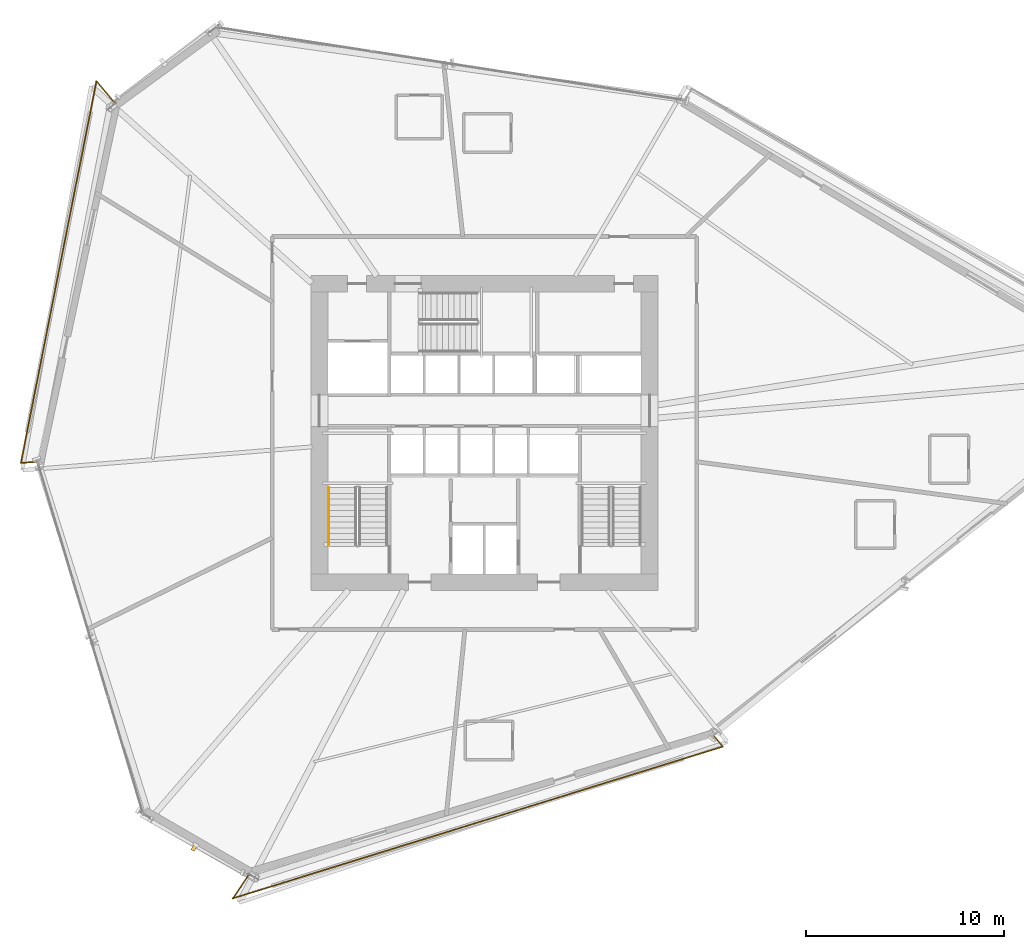
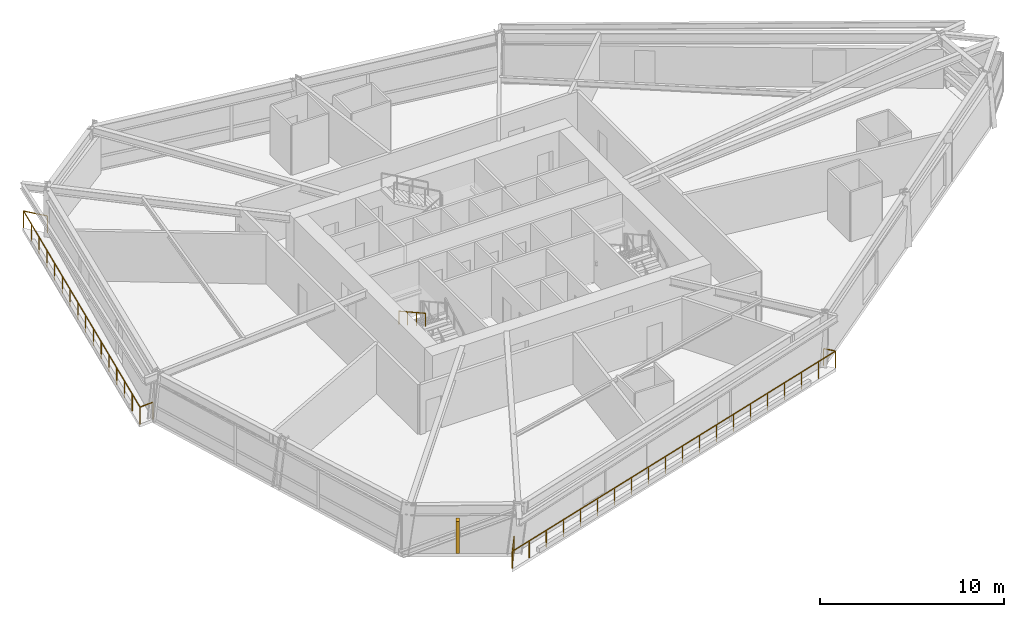
# One storey, part 20 of 22: 3 railings, 1 shading device.
"""IFC4 building model written with IfcOpenShell, lengths in metres."""

import ifcopenshell
import ifcopenshell.guid

model = None  # the IFC model being written
_history = None  # IfcOwnerHistory: only IFC2X3 demands one
_inside = {}  # id of a spatial element -> (the spatial element, [elements in it])
_under = {}  # id of a project, library or spatial element -> (it, [spatial elements below it])
_declared = {}  # id of a project -> (the project, [libraries it declares])
_typed = {}  # id of a type object -> (the type object, [elements of that type])
_made_of = {}  # id of a material, layer set ... -> (it, [elements and type objects made of it])


def new_model(schema):
    """Start an empty IFC model of exactly this schema.

    Asked for "IFC4X3", IfcOpenShell would pick the latest addendum, in which some entities
    have other attributes; the version numbers below select the first issue.
    IFC2X3 requires an IfcOwnerHistory on every rooted entity: one is made here for all.
    """
    global model, _history
    if schema == "IFC4X3":
        model = ifcopenshell.file(schema_version=(4, 3, 0, 0))
    else:
        model = ifcopenshell.file(schema=schema)
    _inside.clear()
    _under.clear()
    _declared.clear()
    _typed.clear()
    _made_of.clear()
    _history = None
    if model.schema == "IFC2X3":
        org = make("IfcOrganization", Name="unknown")
        user = make(
            "IfcPersonAndOrganization",
            ThePerson=make("IfcPerson", FamilyName="unknown"),
            TheOrganization=org,
        )
        app = make(
            "IfcApplication",
            ApplicationDeveloper=org,
            Version="unknown",
            ApplicationFullName="unknown",
            ApplicationIdentifier="unknown",
        )
        _history = make(
            "IfcOwnerHistory",
            OwningUser=user,
            OwningApplication=app,
            ChangeAction="ADDED",
            CreationDate=0,
        )
    return model


def make(cls, **values):
    """One entity of the class cls with the attributes given. An attribute that is None is left unset."""
    return model.create_entity(
        cls, **{name: value for name, value in values.items() if value is not None}
    )


def rooted(cls, **values):
    """An entity with a GlobalId (a new one), such as an element, a storey or a relation."""
    return make(cls, GlobalId=ifcopenshell.guid.new(), OwnerHistory=_history, **values)


def si_unit(unit_type, name, prefix=None):
    """IfcSIUnit, for example si_unit("LENGTHUNIT", "METRE", prefix="MILLI")."""
    return make("IfcSIUnit", UnitType=unit_type, Prefix=prefix, Name=name)


def assignment(units):
    """IfcUnitAssignment: the units of a project."""
    return None if units is None else make("IfcUnitAssignment", Units=units)


def point(xyz):
    """IfcCartesianPoint."""
    return None if xyz is None else make("IfcCartesianPoint", Coordinates=xyz)


def direction(xyz):
    """IfcDirection."""
    return None if xyz is None else make("IfcDirection", DirectionRatios=xyz)


def frame(location, z_axis=None, x_axis=None):
    """IfcAxis2Placement3D, a coordinate frame: its origin and axes. An axis left out is left unset."""
    return make(
        "IfcAxis2Placement3D",
        Location=point(location),
        Axis=direction(z_axis),
        RefDirection=direction(x_axis),
    )


def frame_2d(location, x_axis=None):
    """IfcAxis2Placement2D, a coordinate frame in the plane: its origin and x axis."""
    return make(
        "IfcAxis2Placement2D", Location=point(location), RefDirection=direction(x_axis)
    )


def origin():
    """The frame at (0, 0, 0) with its axes left unset."""
    return frame((0.0, 0.0, 0.0))


def origin_2d():
    """The frame at (0, 0) in the plane with its x axis left unset."""
    return frame_2d((0.0, 0.0))


def place(relative_to, where):
    """IfcLocalPlacement: puts the frame where relative to a parent placement (None: the world)."""
    return make(
        "IfcLocalPlacement", PlacementRelTo=relative_to, RelativePlacement=where
    )


def context(
    kind, dimensions, precision=None, world=None, true_north=None, identifier=None
):
    """IfcGeometricRepresentationContext, for example the 3D "Model" context."""
    return make(
        "IfcGeometricRepresentationContext",
        ContextIdentifier=identifier,
        ContextType=kind,
        CoordinateSpaceDimension=dimensions,
        Precision=precision,
        WorldCoordinateSystem=world,
        TrueNorth=true_north,
    )


def subcontext(parent, identifier, kind, view, scale=None):
    """IfcGeometricRepresentationSubContext, for example "Body" below "Model"."""
    return make(
        "IfcGeometricRepresentationSubContext",
        ContextIdentifier=identifier,
        ContextType=kind,
        ParentContext=parent,
        TargetScale=scale,
        TargetView=view,
    )


def project(units=None, contexts=None):
    """IfcProject with its units and contexts."""
    return rooted(
        "IfcProject",
        Name="project",
        RepresentationContexts=contexts,
        UnitsInContext=assignment(units),
    )


def spatial(cls, under=None, at=None, **own):
    """A site, building, storey or space (cls), placed at a placement, below another one or the project."""
    s = rooted(cls, ObjectPlacement=at, **own)
    if under is not None:
        _under.setdefault(under.id(), (under, []))[1].append(s)
    return s


def profile(cls, at=None, kind="AREA", **sizes):
    """A parametric profile (cls). Its sizes go by their IFC names, for example OverallWidth=200.0."""
    return make(cls, ProfileType=kind, Position=at, **sizes)


def rectangle(**sizes):
    """IfcRectangleProfileDef."""
    return profile("IfcRectangleProfileDef", **sizes)


def extrude(swept, where, along, depth):
    """IfcExtrudedAreaSolid: the profile swept, set in the frame where, extruded along a direction by depth."""
    return make(
        "IfcExtrudedAreaSolid",
        SweptArea=swept,
        Position=where,
        ExtrudedDirection=direction(along),
        Depth=depth,
    )


def shape(context_of_items, identifier, shape_type, items):
    """IfcShapeRepresentation: the items that make up one representation, for example the "Body"."""
    return make(
        "IfcShapeRepresentation",
        ContextOfItems=context_of_items,
        RepresentationIdentifier=identifier,
        RepresentationType=shape_type,
        Items=items,
    )


def source(mapping_origin, context_of_items, identifier, shape_type, items):
    """IfcRepresentationMap: a shape defined once, which mapped items show again and again."""
    return make(
        "IfcRepresentationMap",
        MappingOrigin=mapping_origin,
        MappedRepresentation=shape(context_of_items, identifier, shape_type, items),
    )


def transform(
    local_origin,
    x_axis=None,
    y_axis=None,
    z_axis=None,
    scale=None,
    scale2=None,
    scale3=None,
    uniform=True,
):
    """IfcCartesianTransformationOperator3D, or its non-uniform kind. x_axis, y_axis, z_axis: its Axis1, 2, 3."""
    if uniform:
        return make(
            "IfcCartesianTransformationOperator3D",
            Axis1=direction(x_axis),
            Axis2=direction(y_axis),
            LocalOrigin=point(local_origin),
            Scale=scale,
            Axis3=direction(z_axis),
        )
    return make(
        "IfcCartesianTransformationOperator3DnonUniform",
        Axis1=direction(x_axis),
        Axis2=direction(y_axis),
        LocalOrigin=point(local_origin),
        Scale=scale,
        Axis3=direction(z_axis),
        Scale2=scale2,
        Scale3=scale3,
    )


def mapped(mapping_source, mapping_target):
    """IfcMappedItem: shows the shape of a source again, moved by a transform."""
    return make(
        "IfcMappedItem", MappingSource=mapping_source, MappingTarget=mapping_target
    )


def material(Name=None, Category=None):
    """IfcMaterial."""
    return make("IfcMaterial", Name=Name, Category=Category)


def made_of(thing, what):
    """Note that an element or type object is made of a material, layer set ...; save() writes the relation."""
    if what is not None:
        _made_of.setdefault(what.id(), (what, []))[1].append(thing)
    return thing


def type_object(cls, material=None, **own):
    """A type object (cls), such as IfcWallType, which elements share."""
    return made_of(rooted(cls, **own), material)


def element(
    cls,
    number,
    at=None,
    inside=None,
    cuts=None,
    type_object=None,
    material=None,
    context=None,
    identifier="Body",
    shape_type=None,
    held_by="IfcProductDefinitionShape",
    body=None,
    shapes=None,
    **own,
):
    """One element of the class cls, such as IfcWall. Its Tag is "e" and its number.

    at: its placement. inside: the storey or other place that contains it. cuts: it is an
    opening in that element (IfcRelVoidsElement). A single representation is given by context,
    identifier, shape_type and body (its items); several are given by shapes. held_by: the class
    of the entity that holds the representations. save() writes the other relations.
    """
    e = rooted(cls, Tag="e%d" % number, ObjectPlacement=at, **own)
    if body is not None:
        shapes = [shape(context, identifier, shape_type, body)]
    if shapes is not None:
        e.Representation = make(held_by, Representations=shapes)
    if inside is not None:
        _inside.setdefault(inside.id(), (inside, []))[1].append(e)
    if cuts is not None:
        rooted(
            "IfcRelVoidsElement", RelatingBuildingElement=cuts, RelatedOpeningElement=e
        )
    if type_object is not None:
        _typed.setdefault(type_object.id(), (type_object, []))[1].append(e)
    return made_of(e, material)


def aggregate(whole, parts):
    """IfcRelAggregates: a whole, such as a stair, and the parts it consists of."""
    return rooted("IfcRelAggregates", RelatingObject=whole, RelatedObjects=parts)


def save(model, path):
    """Write the relations noted so far, then the file.

    IfcRelAggregates (storeys below a building ...), IfcRelContainedInSpatialStructure (elements
    in a storey), IfcRelDefinesByType, IfcRelAssociatesMaterial and IfcRelDeclares: one each for
    every whole, place, type object, material and project.
    """
    for whole, parts in _under.values():
        aggregate(whole, parts)
    for where, things in _inside.values():
        rooted(
            "IfcRelContainedInSpatialStructure",
            RelatedElements=things,
            RelatingStructure=where,
        )
    for kind, things in _typed.values():
        rooted("IfcRelDefinesByType", RelatedObjects=things, RelatingType=kind)
    for what, things in _made_of.values():
        rooted("IfcRelAssociatesMaterial", RelatedObjects=things, RelatingMaterial=what)
    for by, libraries in _declared.values():
        rooted("IfcRelDeclares", RelatingContext=by, RelatedDefinitions=libraries)
    model.write(path)


model = new_model("IFC4")

# Units and contexts
model_context = context("Model", 3, precision=1e-05, world=origin(), true_north=direction((0.0, 1.0)))
body_context = subcontext(model_context, "Body", "Model", "MODEL_VIEW")
ifc_project = project(units=[si_unit("LENGTHUNIT", "METRE"), si_unit("AREAUNIT", "SQUARE_METRE"), si_unit("VOLUMEUNIT", "CUBIC_METRE"), si_unit("PLANEANGLEUNIT", "RADIAN"), si_unit("MASSUNIT", "GRAM", prefix="KILO")], contexts=[model_context])

# Site, building, storey
site_placement = place(None, origin())
site = spatial("IfcSite", under=ifc_project, at=site_placement, CompositionType="ELEMENT")
building_placement = place(site_placement, origin())
building = spatial("IfcBuilding", under=site, at=building_placement, Name="Olszyna Solenne Hotel", CompositionType="ELEMENT")
storey_placement = place(building_placement, frame((0.0, 0.0, 50.60009765625)))
storey = spatial("IfcBuildingStorey", under=building, at=storey_placement, Name="L12", CompositionType="ELEMENT", Elevation=50.60009765625)

# Railings
ifc_material_1 = material(Name="Anodised bronze aluminium", Category="aluminium")
railing_type_1 = type_object("IfcRailingType", Name="GR-110", PredefinedType="BALUSTRADE", material=ifc_material_1)
railing_1_placement = place(storey_placement, frame((19.329345703125, 43.289794921875, 0.0)))
element("IfcRailing", 1, at=railing_1_placement, inside=storey, type_object=railing_type_1, Name="Loggia balcony balustrade guard GR-L12-LG2", PredefinedType="BALUSTRADE", context=body_context, shape_type="SweptSolid", body=[
    extrude(rectangle(XDim=0.048095703125, YDim=0.048095703125, at=origin_2d()), frame((0.0, 0.0, 1.1259765625), z_axis=(-0.645029256092, 0.764157875563, 0.0), x_axis=(-0.764157875563, -0.645029256092, 0.0)), (0.0, 0.0, 1.0), 1.379150390625),
    extrude(rectangle(XDim=0.048095703125, YDim=0.048095703125, at=origin_2d()), frame((-0.8896484375, 1.053955078125, 1.1259765625), z_axis=(-0.194170854371, -0.980967725928, 0.0), x_axis=(0.980967725928, -0.194170854371, 0.0)), (0.0, 0.0, 1.0), 19.6259765625),
    extrude(rectangle(XDim=0.048095703125, YDim=0.048095703125, at=origin_2d()), frame((-4.700439453125, -18.198486328125, 1.1259765625), z_axis=(0.997537204184, 0.070139334669, 0.0), x_axis=(-0.070139334669, 0.997537204184, 0.0)), (0.0, 0.0, 1.0), 0.845947265625),
    extrude(rectangle(XDim=0.0419921875, YDim=0.0419921875, at=origin_2d()), origin(), (0.0, 0.0, 1.0), 1.101806640625),
    extrude(rectangle(XDim=0.0419921875, YDim=0.0419921875, at=origin_2d()), frame((-0.8896484375, 1.053955078125, 0.0)), (0.0, 0.0, 1.0), 1.101806640625),
    extrude(rectangle(XDim=0.0419921875, YDim=0.0419921875, at=origin_2d()), frame((-1.143798828125, -0.2294921875, 0.0)), (0.0, 0.0, 1.0), 1.101806640625),
    extrude(rectangle(XDim=0.0419921875, YDim=0.0419921875, at=origin_2d()), frame((-1.397705078125, -1.512939453125, 0.0)), (0.0, 0.0, 1.0), 1.101806640625),
    extrude(rectangle(XDim=0.0419921875, YDim=0.0419921875, at=origin_2d()), frame((-1.65185546875, -2.796630859375, 0.0)), (0.0, 0.0, 1.0), 1.101806640625),
    extrude(rectangle(XDim=0.0419921875, YDim=0.0419921875, at=origin_2d()), frame((-1.90576171875, -4.080078125, 0.0)), (0.0, 0.0, 1.0), 1.101806640625),
    extrude(rectangle(XDim=0.0419921875, YDim=0.0419921875, at=origin_2d()), frame((-2.159912109375, -5.363525390625, 0.0)), (0.0, 0.0, 1.0), 1.101806640625),
    extrude(rectangle(XDim=0.0419921875, YDim=0.0419921875, at=origin_2d()), frame((-2.4140625, -6.64697265625, 0.0)), (0.0, 0.0, 1.0), 1.101806640625),
    extrude(rectangle(XDim=0.0419921875, YDim=0.0419921875, at=origin_2d()), frame((-2.66796875, -7.930419921875, 0.0)), (0.0, 0.0, 1.0), 1.101806640625),
    extrude(rectangle(XDim=0.0419921875, YDim=0.0419921875, at=origin_2d()), frame((-2.922119140625, -9.214111328125, 0.0)), (0.0, 0.0, 1.0), 1.101806640625),
    extrude(rectangle(XDim=0.0419921875, YDim=0.0419921875, at=origin_2d()), frame((-3.176025390625, -10.49755859375, 0.0)), (0.0, 0.0, 1.0), 1.101806640625),
    extrude(rectangle(XDim=0.0419921875, YDim=0.0419921875, at=origin_2d()), frame((-3.43017578125, -11.781005859375, 0.0)), (0.0, 0.0, 1.0), 1.101806640625),
    extrude(rectangle(XDim=0.0419921875, YDim=0.0419921875, at=origin_2d()), frame((-3.684326171875, -13.064453125, 0.0)), (0.0, 0.0, 1.0), 1.101806640625),
    extrude(rectangle(XDim=0.0419921875, YDim=0.0419921875, at=origin_2d()), frame((-3.938232421875, -14.347900390625, 0.0)), (0.0, 0.0, 1.0), 1.101806640625),
    extrude(rectangle(XDim=0.0419921875, YDim=0.0419921875, at=origin_2d()), frame((-4.1923828125, -15.631591796875, 0.0)), (0.0, 0.0, 1.0), 1.101806640625),
    extrude(rectangle(XDim=0.0419921875, YDim=0.0419921875, at=origin_2d()), frame((-4.4462890625, -16.9150390625, 0.0)), (0.0, 0.0, 1.0), 1.101806640625),
    extrude(rectangle(XDim=0.0419921875, YDim=0.0419921875, at=origin_2d()), frame((-4.700439453125, -18.198486328125, 0.0)), (0.0, 0.0, 1.0), 1.101806640625),
    extrude(rectangle(XDim=0.0419921875, YDim=0.0419921875, at=origin_2d()), frame((-3.856689453125, -18.13916015625, 0.0)), (0.0, 0.0, 1.0), 1.101806640625),
])
railing_2_placement = place(storey_placement, frame((26.108642578125, 4.3134765625, 0.0)))
element("IfcRailing", 2, at=railing_2_placement, inside=storey, type_object=railing_type_1, Name="Loggia balcony balustrade guard GR-L12-LG3", PredefinedType="BALUSTRADE", context=body_context, shape_type="SweptSolid", body=[
    extrude(rectangle(XDim=0.048095703125, YDim=0.048095703125, at=origin_2d()), frame((0.0, 0.0, 1.1259765625), z_axis=(-0.562578301725, -0.826744007797, 0.0), x_axis=(0.826744007797, -0.562578301725, 0.0)), (0.0, 0.0, 1.0), 1.418701171875),
    extrude(rectangle(XDim=0.048095703125, YDim=0.048095703125, at=origin_2d()), frame((-0.798095703125, -1.1728515625, 1.1259765625), z_axis=(0.955223402725, 0.295885536798, 0.0), x_axis=(-0.295885536798, 0.955223402725, 0.0)), (0.0, 0.0, 1.0), 25.8642578125),
    extrude(rectangle(XDim=0.048095703125, YDim=0.048095703125, at=origin_2d()), frame((23.907958984375, 6.47998046875, 1.1259765625), z_axis=(-0.644735204371, 0.764405989147, 0.0), x_axis=(-0.764405989147, -0.644735204371, 0.0)), (0.0, 0.0, 1.0), 0.689453125),
    extrude(rectangle(XDim=0.0419921875, YDim=0.0419921875, at=origin_2d()), origin(), (0.0, 0.0, 1.0), 1.101806640625),
    extrude(rectangle(XDim=0.0419921875, YDim=0.0419921875, at=origin_2d()), frame((-0.39892578125, -0.58642578125, 0.0)), (0.0, 0.0, 1.0), 1.101806640625),
    extrude(rectangle(XDim=0.0419921875, YDim=0.0419921875, at=origin_2d()), frame((-0.798095703125, -1.1728515625, 0.0)), (0.0, 0.0, 1.0), 1.101806640625),
    extrude(rectangle(XDim=0.0419921875, YDim=0.0419921875, at=origin_2d()), frame((0.502197265625, -0.77001953125, 0.0)), (0.0, 0.0, 1.0), 1.101806640625),
    extrude(rectangle(XDim=0.0419921875, YDim=0.0419921875, at=origin_2d()), frame((1.802490234375, -0.3671875, 0.0)), (0.0, 0.0, 1.0), 1.101806640625),
    extrude(rectangle(XDim=0.0419921875, YDim=0.0419921875, at=origin_2d()), frame((3.102783203125, 0.035400390625, 0.0)), (0.0, 0.0, 1.0), 1.101806640625),
    extrude(rectangle(XDim=0.0419921875, YDim=0.0419921875, at=origin_2d()), frame((4.403076171875, 0.438232421875, 0.0)), (0.0, 0.0, 1.0), 1.101806640625),
    extrude(rectangle(XDim=0.0419921875, YDim=0.0419921875, at=origin_2d()), frame((5.70361328125, 0.841064453125, 0.0)), (0.0, 0.0, 1.0), 1.101806640625),
    extrude(rectangle(XDim=0.0419921875, YDim=0.0419921875, at=origin_2d()), frame((7.00390625, 1.243896484375, 0.0)), (0.0, 0.0, 1.0), 1.101806640625),
    extrude(rectangle(XDim=0.0419921875, YDim=0.0419921875, at=origin_2d()), frame((8.30419921875, 1.646728515625, 0.0)), (0.0, 0.0, 1.0), 1.101806640625),
    extrude(rectangle(XDim=0.0419921875, YDim=0.0419921875, at=origin_2d()), frame((9.6044921875, 2.04931640625, 0.0)), (0.0, 0.0, 1.0), 1.101806640625),
    extrude(rectangle(XDim=0.0419921875, YDim=0.0419921875, at=origin_2d()), frame((10.90478515625, 2.4521484375, 0.0)), (0.0, 0.0, 1.0), 1.101806640625),
    extrude(rectangle(XDim=0.0419921875, YDim=0.0419921875, at=origin_2d()), frame((12.205078125, 2.85498046875, 0.0)), (0.0, 0.0, 1.0), 1.101806640625),
    extrude(rectangle(XDim=0.0419921875, YDim=0.0419921875, at=origin_2d()), frame((13.50537109375, 3.2578125, 0.0)), (0.0, 0.0, 1.0), 1.101806640625),
    extrude(rectangle(XDim=0.0419921875, YDim=0.0419921875, at=origin_2d()), frame((14.8056640625, 3.660400390625, 0.0)), (0.0, 0.0, 1.0), 1.101806640625),
    extrude(rectangle(XDim=0.0419921875, YDim=0.0419921875, at=origin_2d()), frame((16.10595703125, 4.063232421875, 0.0)), (0.0, 0.0, 1.0), 1.101806640625),
    extrude(rectangle(XDim=0.0419921875, YDim=0.0419921875, at=origin_2d()), frame((17.40625, 4.466064453125, 0.0)), (0.0, 0.0, 1.0), 1.101806640625),
    extrude(rectangle(XDim=0.0419921875, YDim=0.0419921875, at=origin_2d()), frame((18.706787109375, 4.868896484375, 0.0)), (0.0, 0.0, 1.0), 1.101806640625),
    extrude(rectangle(XDim=0.0419921875, YDim=0.0419921875, at=origin_2d()), frame((20.007080078125, 5.271728515625, 0.0)), (0.0, 0.0, 1.0), 1.101806640625),
    extrude(rectangle(XDim=0.0419921875, YDim=0.0419921875, at=origin_2d()), frame((21.307373046875, 5.67431640625, 0.0)), (0.0, 0.0, 1.0), 1.101806640625),
    extrude(rectangle(XDim=0.0419921875, YDim=0.0419921875, at=origin_2d()), frame((22.607666015625, 6.0771484375, 0.0)), (0.0, 0.0, 1.0), 1.101806640625),
    extrude(rectangle(XDim=0.0419921875, YDim=0.0419921875, at=origin_2d()), frame((23.907958984375, 6.47998046875, 0.0)), (0.0, 0.0, 1.0), 1.101806640625),
    extrude(rectangle(XDim=0.0419921875, YDim=0.0419921875, at=origin_2d()), frame((23.46337890625, 7.007080078125, 0.0)), (0.0, 0.0, 1.0), 1.101806640625),
])
ifc_material_2 = material(Name="Steel S355J2", Category="steel")
railing_type_2 = type_object("IfcRailingType", Name="HR-090", PredefinedType="HANDRAIL", material=ifc_material_2)
railing_3_placement = place(storey_placement, frame((30.14990234375, 23.85009765625, 1.936279296875)))
element("IfcRailing", 3, at=railing_3_placement, inside=storey, type_object=railing_type_2, Name="L12 ST1 stair handrail 2", PredefinedType="HANDRAIL", context=body_context, shape_type="SweptSolid", body=[
    extrude(rectangle(XDim=0.048095703125, YDim=0.048095703125, at=origin_2d()), frame((0.0, 0.0, 0.8759765625), z_axis=(0.0, -0.873858693841, 0.486179990537), x_axis=(1.0, 0.0, 0.0)), (0.0, 0.0, 1.0), 3.31884765625),
    extrude(rectangle(XDim=0.0419921875, YDim=0.0419921875, at=origin_2d()), origin(), (0.0, 0.0, 1.0), 0.851806640625),
    extrude(rectangle(XDim=0.0419921875, YDim=0.0419921875, at=origin_2d()), frame((0.0, -0.966796875, 0.537841796875)), (0.0, 0.0, 1.0), 0.851806640625),
    extrude(rectangle(XDim=0.0419921875, YDim=0.0419921875, at=origin_2d()), frame((0.0, -1.933349609375, 1.07568359375)), (0.0, 0.0, 1.0), 0.851806640625),
    extrude(rectangle(XDim=0.0419921875, YDim=0.0419921875, at=origin_2d()), frame((0.0, -2.900146484375, 1.613525390625)), (0.0, 0.0, 1.0), 0.851806640625),
])

# Shading device
ifc_material_3 = material(Name="Terracotta cladding", Category="masonry")
shading_device_type = type_object("IfcShadingDeviceType", Name="SH-FN1", PredefinedType="USERDEFINED", material=ifc_material_3)
shared_shape = source(origin(), body_context, "Body", "SweptSolid", [
    extrude(rectangle(XDim=0.199951171875, YDim=0.35009765625, at=origin_2d()), origin(), (0.0, 0.0, 1.0), 2.10009765625),
])
shading_device_placement = place(storey_placement, frame((23.370849609375, 5.7041015625, 0.245849609375), z_axis=(0.0, 0.0, 1.0), x_axis=(-0.86515142057, 0.501510737159, 0.0)))
element("IfcShadingDevice", 4, at=shading_device_placement, inside=storey, type_object=shading_device_type, Name="Chamfer wind-corner terracotta fin FN-L12-02", ObjectType="FIN", PredefinedType="USERDEFINED", context=body_context, shape_type="MappedRepresentation", body=[
    mapped(shared_shape, transform((0.0, 0.0, 0.0), x_axis=(1.0, 0.0, 0.0), y_axis=(0.0, 1.0, 0.0), z_axis=(0.0, 0.0, 1.0), scale=1.0)),
])

save(model, "model.ifc")
